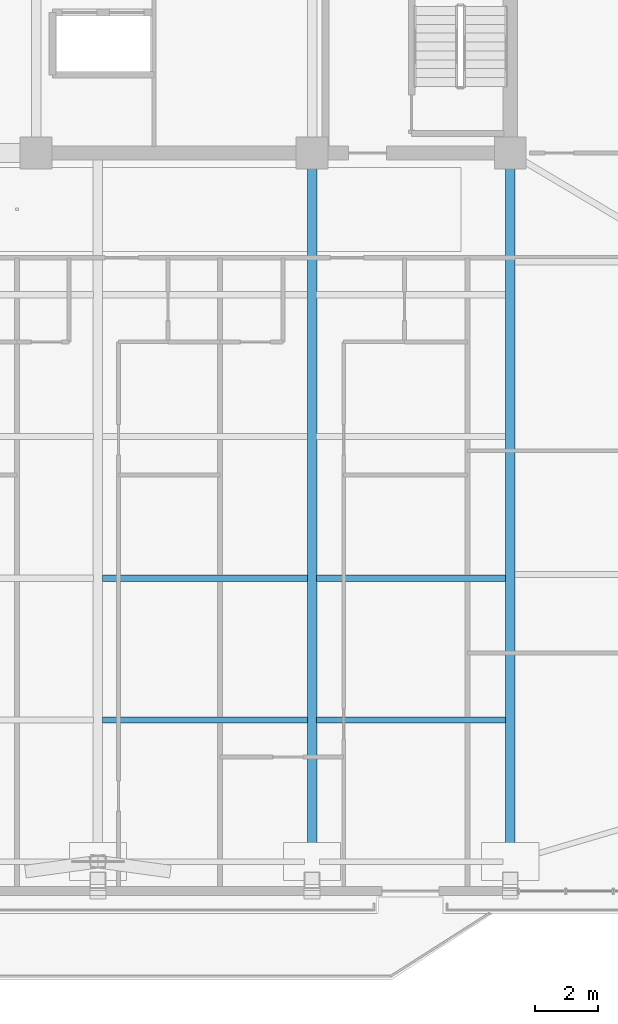
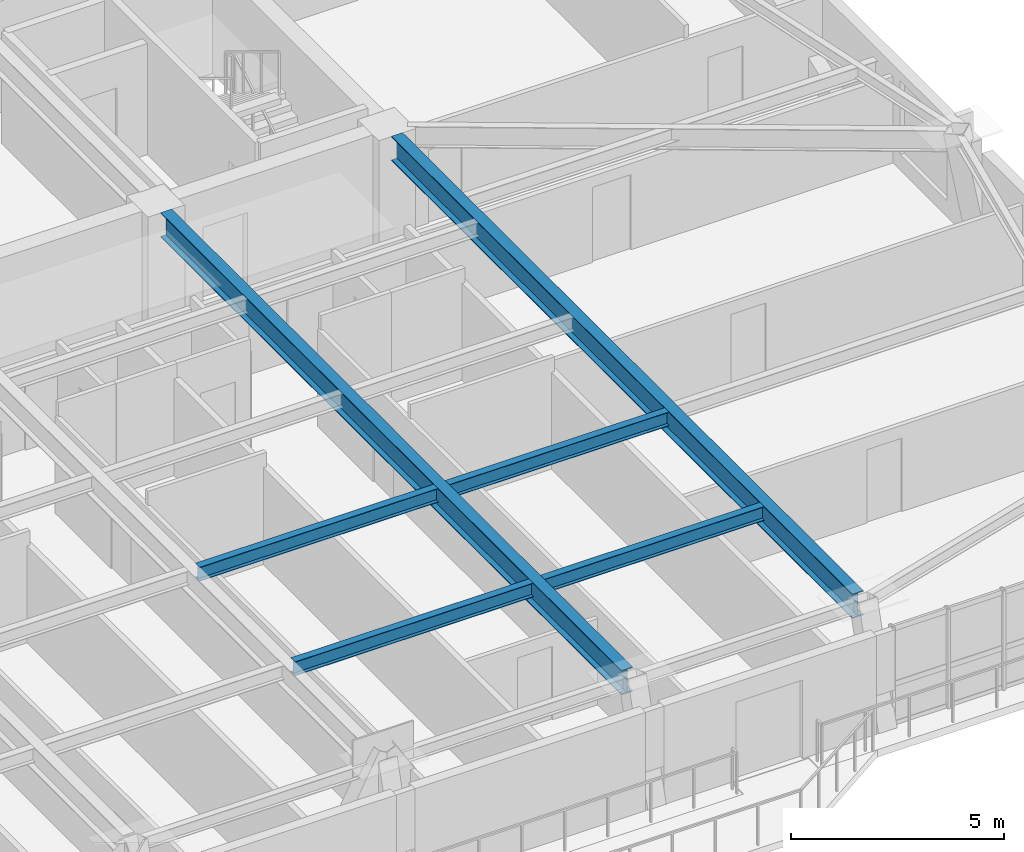
# One storey, part 5 of 18: 6 beams.
"""IFC4 building model written with IfcOpenShell, lengths in metres."""

from ifc_helpers import new_model, si_unit, direction, frame, origin, origin_2d, place, context, subcontext, project, spatial, i_section, extrude, source, transform, mapped, material, material_profile, profile_set, type_object, element, save


model = new_model("IFC4")

# Units and contexts
model_context = context("Model", 3, precision=1e-05, world=origin(), true_north=direction((0.0, 1.0)))
body_context = subcontext(model_context, "Body", "Model", "MODEL_VIEW")
ifc_project = project(units=[si_unit("LENGTHUNIT", "METRE"), si_unit("AREAUNIT", "SQUARE_METRE"), si_unit("VOLUMEUNIT", "CUBIC_METRE"), si_unit("PLANEANGLEUNIT", "RADIAN"), si_unit("MASSUNIT", "GRAM", prefix="KILO")], contexts=[model_context])

# Site, building, storey
site_placement = place(None, origin())
site = spatial("IfcSite", under=ifc_project, at=site_placement, CompositionType="ELEMENT")
building_placement = place(site_placement, origin())
building = spatial("IfcBuilding", under=site, at=building_placement, Name="Giltprow Tower", CompositionType="ELEMENT")
storey_placement = place(building_placement, frame((0.0, 0.0, 245.10009765625)))
storey = spatial("IfcBuildingStorey", under=building, at=storey_placement, Name="L62", CompositionType="ELEMENT", Elevation=245.10009765625)

# Beams
ifc_material = material(Name="Structural steel Q355B", Category="steel")
ifc_material_profile_1 = material_profile(ifc_material, i_section(OverallWidth=0.199951171875, OverallDepth=0.39990234375, WebThickness=0.008056640625, FlangeThickness=0.012939453125, at=origin_2d()), Name="HN 400x200x8x13")
ifc_profile_set_1 = profile_set([ifc_material_profile_1], Name="Structural steel Q355B")
beam_type_1 = type_object("IfcBeamType", Name="BM-JOIST-HN400", PredefinedType="JOIST", material=ifc_profile_set_1)
shared_shape_1 = source(origin(), body_context, "Body", "SweptSolid", [
    extrude(i_section(OverallWidth=0.199951171875, OverallDepth=0.39990234375, WebThickness=0.008056640625, FlangeThickness=0.012939453125, at=origin_2d()), origin(), (0.0, 0.0, 1.0), 6.4599609375),
])
for number, where, z_axis, x_axis, name in (
    (1, (37.695068359375, 19.580078125, 2.98486328125), (1.0, 0.0, 0.0), (0.0, 1.0, 0.0), "L62 Composite Floor Joist 1-3"),
    (2, (37.695068359375, 24.048095703125, 2.98486328125), (1.0, 0.0, 0.0), (0.0, 1.0, 0.0), "L62 Composite Floor Joist 2-3"),
):
    element("IfcBeam", number, at=place(storey_placement, frame(where, z_axis=z_axis, x_axis=x_axis)), inside=storey, type_object=beam_type_1, Name=name, PredefinedType="JOIST", context=body_context, shape_type="MappedRepresentation", body=[
        mapped(shared_shape_1, transform((0.0, 0.0, 0.0), x_axis=(1.0, 0.0, 0.0), y_axis=(0.0, 1.0, 0.0), z_axis=(0.0, 0.0, 1.0), scale=1.0)),
    ])
shared_shape_2 = source(origin(), body_context, "Body", "SweptSolid", [
    extrude(i_section(OverallWidth=0.199951171875, OverallDepth=0.39990234375, WebThickness=0.008056640625, FlangeThickness=0.012939453125, at=origin_2d()), origin(), (0.0, 0.0, 1.0), 5.9599609375),
])
for number, where, z_axis, x_axis, name in (
    (3, (44.445068359375, 19.580078125, 2.98486328125), (1.0, 0.0, 0.0), (0.0, 1.0, 0.0), "L62 Composite Floor Joist 1-4"),
    (4, (44.445068359375, 24.048095703125, 2.98486328125), (1.0, 0.0, 0.0), (0.0, 1.0, 0.0), "L62 Composite Floor Joist 2-4"),
):
    element("IfcBeam", number, at=place(storey_placement, frame(where, z_axis=z_axis, x_axis=x_axis)), inside=storey, type_object=beam_type_1, Name=name, PredefinedType="JOIST", context=body_context, shape_type="MappedRepresentation", body=[
        mapped(shared_shape_2, transform((0.0, 0.0, 0.0), x_axis=(1.0, 0.0, 0.0), y_axis=(0.0, 1.0, 0.0), z_axis=(0.0, 0.0, 1.0), scale=1.0)),
    ])
ifc_material_profile_2 = material_profile(ifc_material, i_section(OverallWidth=0.300048828125, OverallDepth=0.699951171875, WebThickness=0.012939453125, FlangeThickness=0.02392578125, at=origin_2d()), Name="HN 700x300x13x24")
ifc_profile_set_2 = profile_set([ifc_material_profile_2], Name="Structural steel Q355B")
beam_type_2 = type_object("IfcBeamType", Name="BM-GIRD-HN700", PredefinedType="BEAM", material=ifc_profile_set_2)
shared_shape_3 = source(origin(), body_context, "Body", "SweptSolid", [
    extrude(i_section(OverallWidth=0.300048828125, OverallDepth=0.699951171875, WebThickness=0.012939453125, FlangeThickness=0.02392578125, at=origin_2d()), origin(), (0.0, 0.0, 1.0), 21.6171875),
])
for number, where, z_axis, x_axis, name in (
    (5, (44.300048828125, 15.347900390625, 2.8349609375), (0.0, 1.0, 0.0), (-1.0, 0.0, 0.0), "L62 Primary Lease Girder S3"),
    (6, (50.550048828125, 15.347900390625, 2.8349609375), (0.0, 1.0, 0.0), (-1.0, 0.0, 0.0), "L62 Primary Lease Girder S4"),
):
    element("IfcBeam", number, at=place(storey_placement, frame(where, z_axis=z_axis, x_axis=x_axis)), inside=storey, type_object=beam_type_2, Name=name, PredefinedType="BEAM", context=body_context, shape_type="MappedRepresentation", body=[
        mapped(shared_shape_3, transform((0.0, 0.0, 0.0), x_axis=(1.0, 0.0, 0.0), y_axis=(0.0, 1.0, 0.0), z_axis=(0.0, 0.0, 1.0), scale=1.0)),
    ])

save(model, "model.ifc")
